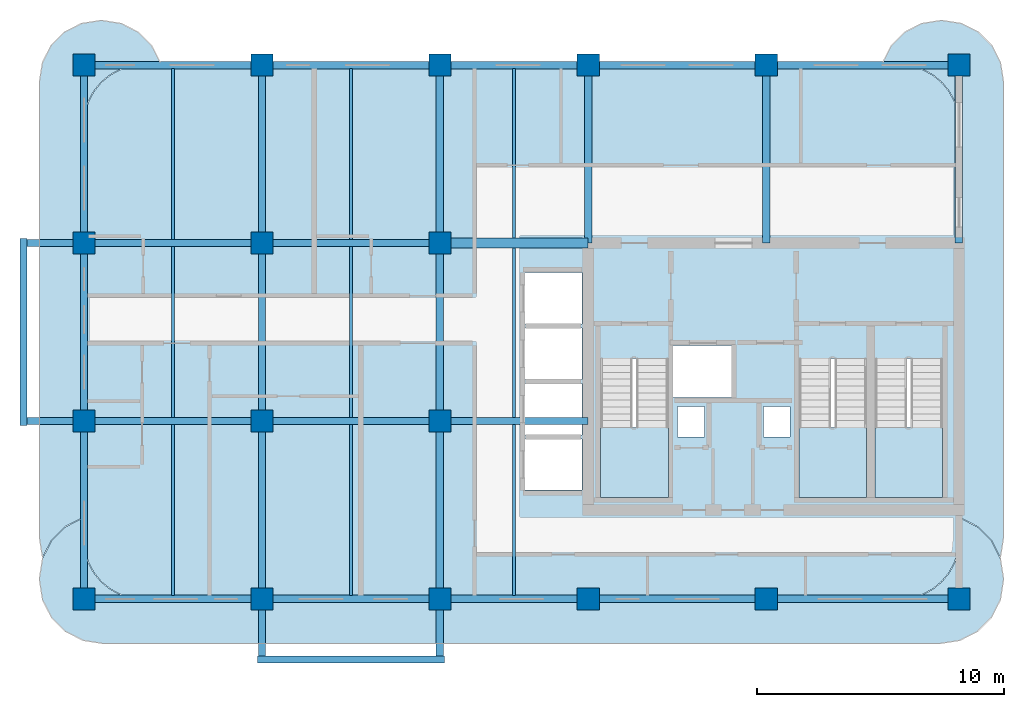
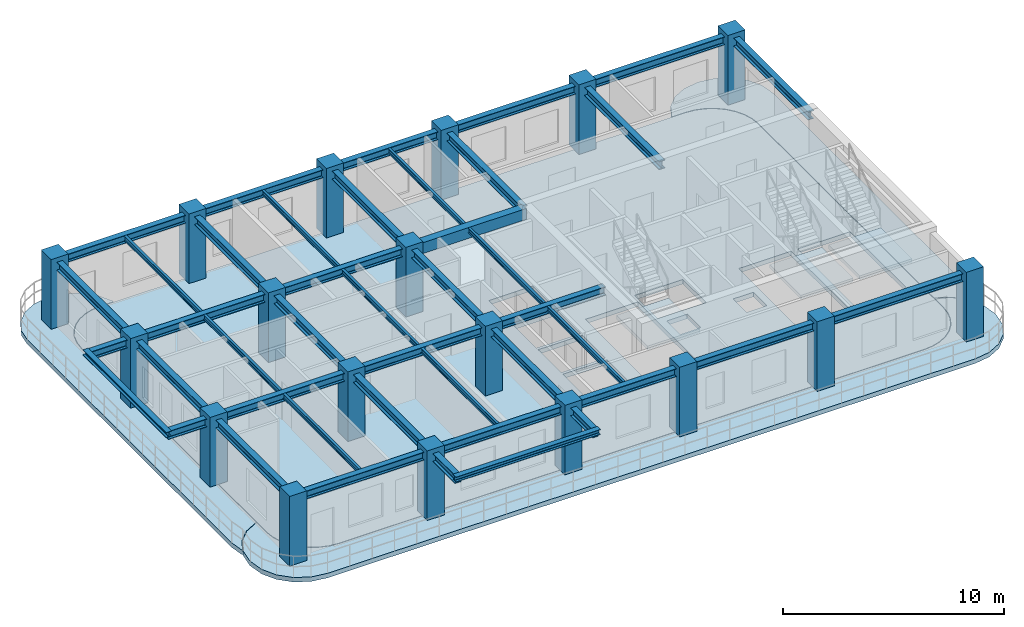
# One storey, part 1 of 7: 39 beams, 18 columns, 7 slabs, 3 elements without a shape of their own.
"""IFC4 building model written with IfcOpenShell, lengths in metres."""

from ifc_helpers import new_model, si_unit, derived_unit, direction, frame, origin, origin_2d, place, context, subcontext, project, spatial, polyline, rectangle, i_section, outline, extrude, source, transform, mapped, material, layer, layer_set, material_profile, profile_set, type_object, type_shapes, element, aggregate, save


model = new_model("IFC4")

# Units and contexts
model_context = context("Model", 3, precision=1e-05, world=origin(), true_north=direction((0.0, 1.0)))
body_context = subcontext(model_context, "Body", "Model", "MODEL_VIEW")
ifc_project = project(units=[si_unit("LENGTHUNIT", "METRE"), si_unit("AREAUNIT", "SQUARE_METRE"), si_unit("VOLUMEUNIT", "CUBIC_METRE"), si_unit("PLANEANGLEUNIT", "RADIAN"), si_unit("MASSUNIT", "GRAM", prefix="KILO"), si_unit("THERMODYNAMICTEMPERATUREUNIT", "KELVIN"), si_unit("POWERUNIT", "WATT"), derived_unit("THERMALTRANSMITTANCEUNIT", [(si_unit("POWERUNIT", "WATT"), 1), (si_unit("AREAUNIT", "SQUARE_METRE"), -1), (si_unit("THERMODYNAMICTEMPERATUREUNIT", "KELVIN"), -1)])], contexts=[model_context])

# Site, building, storey
site_placement = place(None, origin())
site = spatial("IfcSite", under=ifc_project, at=site_placement, CompositionType="ELEMENT")
building_placement = place(site_placement, origin())
building = spatial("IfcBuilding", under=site, at=building_placement, Name="Zahravan Archway Hotel and Residences", CompositionType="ELEMENT")
storey_placement = place(building_placement, frame((0.0, 0.0, 236.550048828125)))
storey = spatial("IfcBuildingStorey", under=building, at=storey_placement, Name="L59", CompositionType="ELEMENT", Elevation=236.550048828125)

# Columns
ifc_material_1 = material(Name="Concrete C60/75", Category="concrete")
ifc_material_profile_1 = material_profile(ifc_material_1, rectangle(XDim=0.89990234375, YDim=0.89990234375, at=origin_2d()), Name="RC-COL-900x900", Category="concrete")
ifc_profile_set_1 = profile_set([ifc_material_profile_1], Name="Concrete C60/75")
column_type = type_object("IfcColumnType", Name="COL-RC-900", PredefinedType="COLUMN", material=ifc_profile_set_1)
shared_shape_1 = source(origin(), body_context, "Body", "SweptSolid", [
    extrude(rectangle(XDim=0.89990234375, YDim=0.89990234375, at=origin_2d()), origin(), (0.0, 0.0, 1.0), 3.849853515625),
])
for number, where, z_axis, x_axis, name in (
    (1, (14.39990234375, 0.0, 0.0), (0.0, 0.0, 1.0), (1.0, 0.0, 0.0), "L59 Column 3-A"),
    (2, (14.39990234375, 7.199951171875, 0.0), (0.0, 0.0, 1.0), (1.0, 0.0, 0.0), "L59 Column 3-B"),
    (3, (14.39990234375, 14.39990234375, 0.0), (0.0, 0.0, 1.0), (1.0, 0.0, 0.0), "L59 Column 3-C"),
    (4, (14.39990234375, 21.60009765625, 0.0), (0.0, 0.0, 1.0), (1.0, 0.0, 0.0), "L59 Column 3-D"),
    (5, (21.60009765625, 0.0, 0.0), (0.0, 0.0, 1.0), (1.0, 0.0, 0.0), "L59 Column 4-A"),
    (6, (21.60009765625, 7.199951171875, 0.0), (0.0, 0.0, 1.0), (1.0, 0.0, 0.0), "L59 Column 4-B"),
    (7, (21.60009765625, 14.39990234375, 0.0), (0.0, 0.0, 1.0), (1.0, 0.0, 0.0), "L59 Column 4-C"),
    (8, (21.60009765625, 21.60009765625, 0.0), (0.0, 0.0, 1.0), (1.0, 0.0, 0.0), "L59 Column 4-D"),
    (9, (28.800048828125, 0.0, 0.0), (0.0, 0.0, 1.0), (1.0, 0.0, 0.0), "L59 Column 5-A"),
    (10, (28.800048828125, 7.199951171875, 0.0), (0.0, 0.0, 1.0), (1.0, 0.0, 0.0), "L59 Column 5-B"),
    (11, (28.800048828125, 14.39990234375, 0.0), (0.0, 0.0, 1.0), (1.0, 0.0, 0.0), "L59 Column 5-C"),
    (12, (28.800048828125, 21.60009765625, 0.0), (0.0, 0.0, 1.0), (1.0, 0.0, 0.0), "L59 Column 5-D"),
    (13, (34.800048828125, 0.0, 0.0), (0.0, 0.0, 1.0), (1.0, 0.0, 0.0), "L59 Column 6-A"),
    (14, (34.800048828125, 21.60009765625, 0.0), (0.0, 0.0, 1.0), (1.0, 0.0, 0.0), "L59 Column 6-D"),
    (15, (42.0, 0.0, 0.0), (0.0, 0.0, 1.0), (1.0, 0.0, 0.0), "L59 Column 7-A"),
    (16, (42.0, 21.60009765625, 0.0), (0.0, 0.0, 1.0), (1.0, 0.0, 0.0), "L59 Column 7-D"),
    (17, (49.800048828125, 0.0, 0.0), (0.0, 0.0, 1.0), (1.0, 0.0, 0.0), "L59 Column 8-A"),
    (18, (49.800048828125, 21.60009765625, 0.0), (0.0, 0.0, 1.0), (1.0, 0.0, 0.0), "L59 Column 8-D"),
):
    element("IfcColumn", number, at=place(storey_placement, frame(where, z_axis=z_axis, x_axis=x_axis)), inside=storey, type_object=column_type, Name=name, PredefinedType="COLUMN", context=body_context, shape_type="MappedRepresentation", body=[
        mapped(shared_shape_1, transform((0.0, 0.0, 0.0), scale=1.0)),
    ])

# Beams
ifc_material_2 = material(Name="Structural Steel S355JR", Category="steel")
ifc_material_profile_2 = material_profile(ifc_material_2, i_section(OverallWidth=0.280029296875, OverallDepth=0.280029296875, WebThickness=0.010498046875, FlangeThickness=0.01806640625, FilletRadius=0.02392578125, at=origin_2d()), Name="HEB 280", Category="steel")
ifc_profile_set_2 = profile_set([ifc_material_profile_2], Name="Structural Steel S355JR")
beam_type_1 = type_object("IfcBeamType", Name="BM-SPN-HEB280", PredefinedType="SPANDREL", material=ifc_profile_set_2)
shared_shape_2 = source(origin(), body_context, "Body", "SweptSolid", [
    extrude(i_section(OverallWidth=0.280029296875, OverallDepth=0.280029296875, WebThickness=0.010498046875, FlangeThickness=0.01806640625, FilletRadius=0.02392578125, at=origin_2d()), origin(), (0.0, 0.0, 1.0), 7.56005859375),
])
type_shapes(beam_type_1, [shared_shape_2])
for number, where, z_axis, x_axis, name in (
    (19, (11.949951171875, 7.02001953125, 3.4599609375), (0.0, 1.0, 0.0), (-1.0, 0.0, 0.0), "L60 WA Balcony Edge Spandrel"),
    (20, (21.419921875, -2.449951171875, 3.4599609375), (1.0, 0.0, 0.0), (0.0, 1.0, 0.0), "L60 SA Balcony Edge Spandrel"),
):
    element("IfcBeam", number, at=place(storey_placement, frame(where, z_axis=z_axis, x_axis=x_axis)), inside=storey, type_object=beam_type_1, Name=name, PredefinedType="SPANDREL", context=body_context, shape_type="MappedRepresentation", body=[
        mapped(shared_shape_2, transform((0.0, 0.0, 0.0), scale=1.0)),
    ])
ifc_material_profile_3 = material_profile(ifc_material_1, rectangle(XDim=0.39990234375, YDim=0.60009765625, at=origin_2d()), Name="RC-LNT-400x600", Category="concrete")
ifc_profile_set_3 = profile_set([ifc_material_profile_3], Name="Concrete C60/75")
beam_type_2 = type_object("IfcBeamType", Name="LNT-RC-400x600", PredefinedType="LINTEL", material=ifc_profile_set_3)
shared_shape_3 = source(origin(), body_context, "Body", "SweptSolid", [
    extrude(rectangle(XDim=0.39990234375, YDim=0.60009765625, at=origin_2d()), origin(), (0.0, 0.0, 1.0), 6.0),
])
type_shapes(beam_type_2, [shared_shape_3])
beam_placement = place(storey_placement, frame((28.800048828125, 14.39990234375, 3.300048828125), z_axis=(1.0, 0.0, 0.0), x_axis=(0.0, 1.0, 0.0)))
element("IfcBeam", 21, at=beam_placement, inside=storey, type_object=beam_type_2, Name="L59 Core A Coupling Lintel Beam", PredefinedType="LINTEL", context=body_context, shape_type="MappedRepresentation", body=[
    mapped(shared_shape_3, transform((0.0, 0.0, 0.0), scale=1.0)),
])
ifc_material_profile_4 = material_profile(ifc_material_2, i_section(OverallWidth=0.300048828125, OverallDepth=0.449951171875, WebThickness=0.013916015625, FlangeThickness=0.02587890625, FilletRadius=0.027099609375, at=origin_2d()), Name="HEB 450", Category="steel")
ifc_profile_set_4 = profile_set([ifc_material_profile_4], Name="Structural Steel S355JR")
beam_type_3 = type_object("IfcBeamType", Name="BM-PRI-HEB450", PredefinedType="BEAM", material=ifc_profile_set_4)
shared_shape_4 = source(origin(), body_context, "Body", "SweptSolid", [
    extrude(i_section(OverallWidth=0.300048828125, OverallDepth=0.449951171875, WebThickness=0.013916015625, FlangeThickness=0.02587890625, FilletRadius=0.027099609375, at=origin_2d()), origin(), (0.0, 0.0, 1.0), 7.2001953125),
])
type_shapes(beam_type_3, [shared_shape_4])
for number, where, z_axis, x_axis, name in (
    (22, (14.39990234375, 0.0, 3.375), (1.0, 0.0, 0.0), (0.0, 1.0, 0.0), "L59 Primary Girder EW-01"),
    (23, (14.39990234375, 21.60009765625, 3.375), (1.0, 0.0, 0.0), (0.0, 1.0, 0.0), "L59 Primary Girder EW-11"),
    (24, (14.39990234375, 14.39990234375, 3.375), (0.0, 1.0, 0.0), (-1.0, 0.0, 0.0), "L59 Primary Girder NS-18"),
    (25, (21.60009765625, 14.39990234375, 3.375), (0.0, 1.0, 0.0), (-1.0, 0.0, 0.0), "L59 Primary Girder NS-21"),
    (26, (28.800048828125, 14.39990234375, 3.375), (0.0, 1.0, 0.0), (-1.0, 0.0, 0.0), "L59 Primary Girder NS-24"),
    (27, (34.800048828125, 14.39990234375, 3.375), (0.0, 1.0, 0.0), (-1.0, 0.0, 0.0), "L59 Primary Girder NS-25"),
    (28, (42.0, 14.39990234375, 3.375), (0.0, 1.0, 0.0), (-1.0, 0.0, 0.0), "L59 Primary Girder NS-26"),
    (29, (49.800048828125, 14.39990234375, 3.375), (0.0, 1.0, 0.0), (-1.0, 0.0, 0.0), "L59 Primary Girder NS-27"),
):
    element("IfcBeam", number, at=place(storey_placement, frame(where, z_axis=z_axis, x_axis=x_axis)), inside=storey, type_object=beam_type_3, Name=name, PredefinedType="BEAM", context=body_context, shape_type="MappedRepresentation", body=[
        mapped(shared_shape_4, transform((0.0, 0.0, 0.0), scale=1.0)),
    ])
shared_shape_5 = source(origin(), body_context, "Body", "SweptSolid", [
    extrude(i_section(OverallWidth=0.300048828125, OverallDepth=0.449951171875, WebThickness=0.013916015625, FlangeThickness=0.02587890625, FilletRadius=0.027099609375, at=origin_2d()), origin(), (0.0, 0.0, 1.0), 7.199951171875),
])
for number, where, z_axis, x_axis, name in (
    (30, (21.60009765625, 0.0, 3.375), (1.0, 0.0, 0.0), (0.0, 1.0, 0.0), "L59 Primary Girder EW-02"),
    (31, (34.800048828125, 0.0, 3.375), (1.0, 0.0, 0.0), (0.0, 1.0, 0.0), "L59 Primary Girder EW-04"),
    (32, (21.60009765625, 7.199951171875, 3.375), (1.0, 0.0, 0.0), (0.0, 1.0, 0.0), "L59 Primary Girder EW-07"),
    (33, (21.60009765625, 14.39990234375, 3.375), (1.0, 0.0, 0.0), (0.0, 1.0, 0.0), "L59 Primary Girder EW-10"),
    (34, (21.60009765625, 21.60009765625, 3.375), (1.0, 0.0, 0.0), (0.0, 1.0, 0.0), "L59 Primary Girder EW-12"),
    (35, (34.800048828125, 21.60009765625, 3.375), (1.0, 0.0, 0.0), (0.0, 1.0, 0.0), "L59 Primary Girder EW-14"),
    (36, (14.39990234375, 0.0, 3.375), (0.0, 1.0, 0.0), (-1.0, 0.0, 0.0), "L59 Primary Girder NS-16"),
    (37, (14.39990234375, 7.199951171875, 3.375), (0.0, 1.0, 0.0), (-1.0, 0.0, 0.0), "L59 Primary Girder NS-17"),
    (38, (21.60009765625, 7.199951171875, 3.375), (0.0, 1.0, 0.0), (-1.0, 0.0, 0.0), "L59 Primary Girder NS-20"),
    (39, (28.800048828125, 7.199951171875, 3.375), (0.0, 1.0, 0.0), (-1.0, 0.0, 0.0), "L59 Primary Girder NS-23"),
):
    element("IfcBeam", number, at=place(storey_placement, frame(where, z_axis=z_axis, x_axis=x_axis)), inside=storey, type_object=beam_type_3, Name=name, PredefinedType="BEAM", context=body_context, shape_type="MappedRepresentation", body=[
        mapped(shared_shape_5, transform((0.0, 0.0, 0.0), scale=1.0)),
    ])
shared_shape_6 = source(origin(), body_context, "Body", "SweptSolid", [
    extrude(i_section(OverallWidth=0.300048828125, OverallDepth=0.449951171875, WebThickness=0.013916015625, FlangeThickness=0.02587890625, FilletRadius=0.027099609375, at=origin_2d()), origin(), (0.0, 0.0, 1.0), 6.0),
])
for number, where, z_axis, x_axis, name in (
    (40, (28.800048828125, 0.0, 3.375), (1.0, 0.0, 0.0), (0.0, 1.0, 0.0), "L59 Primary Girder EW-03"),
    (41, (28.800048828125, 7.199951171875, 3.375), (1.0, 0.0, 0.0), (0.0, 1.0, 0.0), "L59 Primary Girder EW-08"),
    (42, (28.800048828125, 21.60009765625, 3.375), (1.0, 0.0, 0.0), (0.0, 1.0, 0.0), "L59 Primary Girder EW-13"),
):
    element("IfcBeam", number, at=place(storey_placement, frame(where, z_axis=z_axis, x_axis=x_axis)), inside=storey, type_object=beam_type_3, Name=name, PredefinedType="BEAM", context=body_context, shape_type="MappedRepresentation", body=[
        mapped(shared_shape_6, transform((0.0, 0.0, 0.0), scale=1.0)),
    ])
shared_shape_7 = source(origin(), body_context, "Body", "SweptSolid", [
    extrude(i_section(OverallWidth=0.300048828125, OverallDepth=0.449951171875, WebThickness=0.013916015625, FlangeThickness=0.02587890625, FilletRadius=0.027099609375, at=origin_2d()), origin(), (0.0, 0.0, 1.0), 7.800048828125),
])
for number, where, z_axis, x_axis, name in (
    (43, (42.0, 0.0, 3.375), (1.0, 0.0, 0.0), (0.0, 1.0, 0.0), "L59 Primary Girder EW-05"),
    (44, (42.0, 21.60009765625, 3.375), (1.0, 0.0, 0.0), (0.0, 1.0, 0.0), "L59 Primary Girder EW-15"),
):
    element("IfcBeam", number, at=place(storey_placement, frame(where, z_axis=z_axis, x_axis=x_axis)), inside=storey, type_object=beam_type_3, Name=name, PredefinedType="BEAM", context=body_context, shape_type="MappedRepresentation", body=[
        mapped(shared_shape_7, transform((0.0, 0.0, 0.0), scale=1.0)),
    ])
shared_shape_8 = source(origin(), body_context, "Body", "SweptSolid", [
    extrude(i_section(OverallWidth=0.300048828125, OverallDepth=0.449951171875, WebThickness=0.013916015625, FlangeThickness=0.02587890625, FilletRadius=0.027099609375, at=origin_2d()), origin(), (0.0, 0.0, 1.0), 9.650146484375),
])
for number, where, z_axis, x_axis, name in (
    (45, (11.949951171875, 7.199951171875, 3.375), (1.0, 0.0, 0.0), (0.0, 1.0, 0.0), "L59 Primary Girder EW-06"),
    (46, (11.949951171875, 14.39990234375, 3.375), (1.0, 0.0, 0.0), (0.0, 1.0, 0.0), "L59 Primary Girder EW-09"),
):
    element("IfcBeam", number, at=place(storey_placement, frame(where, z_axis=z_axis, x_axis=x_axis)), inside=storey, type_object=beam_type_3, Name=name, PredefinedType="BEAM", context=body_context, shape_type="MappedRepresentation", body=[
        mapped(shared_shape_8, transform((0.0, 0.0, 0.0), scale=1.0)),
    ])
shared_shape_9 = source(origin(), body_context, "Body", "SweptSolid", [
    extrude(i_section(OverallWidth=0.300048828125, OverallDepth=0.449951171875, WebThickness=0.013916015625, FlangeThickness=0.02587890625, FilletRadius=0.027099609375, at=origin_2d()), origin(), (0.0, 0.0, 1.0), 9.64990234375),
])
for number, where, z_axis, x_axis, name in (
    (47, (21.60009765625, -2.449951171875, 3.375), (0.0, 1.0, 0.0), (-1.0, 0.0, 0.0), "L59 Primary Girder NS-19"),
    (48, (28.800048828125, -2.449951171875, 3.375), (0.0, 1.0, 0.0), (-1.0, 0.0, 0.0), "L59 Primary Girder NS-22"),
):
    element("IfcBeam", number, at=place(storey_placement, frame(where, z_axis=z_axis, x_axis=x_axis)), inside=storey, type_object=beam_type_3, Name=name, PredefinedType="BEAM", context=body_context, shape_type="MappedRepresentation", body=[
        mapped(shared_shape_9, transform((0.0, 0.0, 0.0), scale=1.0)),
    ])
ifc_material_profile_5 = material_profile(ifc_material_2, i_section(OverallWidth=0.135009765625, OverallDepth=0.27001953125, WebThickness=0.006591796875, FlangeThickness=0.01025390625, FilletRadius=0.014892578125, at=origin_2d()), Name="IPE 270", Category="steel")
ifc_profile_set_5 = profile_set([ifc_material_profile_5], Name="Structural Steel S355JR")
beam_type_4 = type_object("IfcBeamType", Name="BM-JST-IPE270", PredefinedType="JOIST", material=ifc_profile_set_5)
shared_shape_10 = source(origin(), body_context, "Body", "SweptSolid", [
    extrude(i_section(OverallWidth=0.135009765625, OverallDepth=0.27001953125, WebThickness=0.006591796875, FlangeThickness=0.01025390625, FilletRadius=0.014892578125, at=origin_2d()), origin(), (0.0, 0.0, 1.0), 6.904052734375),
])
type_shapes(beam_type_4, [shared_shape_10])
for number, where, z_axis, x_axis, name in (
    (49, (18.0, 0.14794921875, 3.46484375), (0.0, 1.0, 0.0), (-1.0, 0.0, 0.0), "L59 Composite Floor Joist 01"),
    (50, (25.199951171875, 0.14794921875, 3.46484375), (0.0, 1.0, 0.0), (-1.0, 0.0, 0.0), "L59 Composite Floor Joist 02"),
    (51, (31.800048828125, 0.14794921875, 3.46484375), (0.0, 1.0, 0.0), (-1.0, 0.0, 0.0), "L59 Composite Floor Joist 03"),
    (52, (18.0, 7.347900390625, 3.46484375), (0.0, 1.0, 0.0), (-1.0, 0.0, 0.0), "L59 Composite Floor Joist 04"),
    (53, (25.199951171875, 7.347900390625, 3.46484375), (0.0, 1.0, 0.0), (-1.0, 0.0, 0.0), "L59 Composite Floor Joist 05"),
):
    element("IfcBeam", number, at=place(storey_placement, frame(where, z_axis=z_axis, x_axis=x_axis)), inside=storey, type_object=beam_type_4, Name=name, PredefinedType="JOIST", context=body_context, shape_type="MappedRepresentation", body=[
        mapped(shared_shape_10, transform((0.0, 0.0, 0.0), scale=1.0)),
    ])
shared_shape_11 = source(origin(), body_context, "Body", "SweptSolid", [
    extrude(i_section(OverallWidth=0.135009765625, OverallDepth=0.27001953125, WebThickness=0.006591796875, FlangeThickness=0.01025390625, FilletRadius=0.014892578125, at=origin_2d()), origin(), (0.0, 0.0, 1.0), 6.85400390625),
])
for number, where, z_axis, x_axis, name in (
    (54, (31.800048828125, 7.347900390625, 3.46484375), (0.0, 1.0, 0.0), (-1.0, 0.0, 0.0), "L59 Composite Floor Joist 06"),
    (55, (31.800048828125, 14.597900390625, 3.46484375), (0.0, 1.0, 0.0), (-1.0, 0.0, 0.0), "L59 Composite Floor Joist 07"),
):
    element("IfcBeam", number, at=place(storey_placement, frame(where, z_axis=z_axis, x_axis=x_axis)), inside=storey, type_object=beam_type_4, Name=name, PredefinedType="JOIST", context=body_context, shape_type="MappedRepresentation", body=[
        mapped(shared_shape_11, transform((0.0, 0.0, 0.0), scale=1.0)),
    ])
shared_shape_12 = source(origin(), body_context, "Body", "SweptSolid", [
    extrude(i_section(OverallWidth=0.135009765625, OverallDepth=0.27001953125, WebThickness=0.006591796875, FlangeThickness=0.01025390625, FilletRadius=0.014892578125, at=origin_2d()), origin(), (0.0, 0.0, 1.0), 6.90380859375),
])
for number, where, z_axis, x_axis, name in (
    (56, (18.0, 14.548095703125, 3.46484375), (0.0, 1.0, 0.0), (-1.0, 0.0, 0.0), "L59 Composite Floor Joist 08"),
    (57, (25.199951171875, 14.548095703125, 3.46484375), (0.0, 1.0, 0.0), (-1.0, 0.0, 0.0), "L59 Composite Floor Joist 09"),
):
    element("IfcBeam", number, at=place(storey_placement, frame(where, z_axis=z_axis, x_axis=x_axis)), inside=storey, type_object=beam_type_4, Name=name, PredefinedType="JOIST", context=body_context, shape_type="MappedRepresentation", body=[
        mapped(shared_shape_12, transform((0.0, 0.0, 0.0), scale=1.0)),
    ])

# Slabs
ifc_material_3 = material(Name="Concrete C45/55", Category="concrete")
ifc_layer_1 = layer(ifc_material_3, 0.25, Name="Concrete C45/55", Category="concrete")
ifc_layer_set_1 = layer_set([ifc_layer_1], Name="Concrete C45/55")
slab_type_1 = type_object("IfcSlabType", Name="SLB-BALC-250", PredefinedType="FLOOR", material=ifc_layer_set_1)
slab_1_placement = place(storey_placement, frame((0.0, 0.0, -0.25)))
element("IfcSlab", 58, at=slab_1_placement, inside=storey, type_object=slab_type_1, Name="L59 Wing A South Rounded Balcony Band", PredefinedType="FLOOR", context=body_context, shape_type="SweptSolid", body=[
    extrude(outline(polyline([(49.837890625, 3.275146484375), (50.548828125, 2.9130859375), (51.113037109375, 2.348876953125), (51.47509765625, 1.637939453125), (51.60009765625, 0.85009765625), (51.60009765625, 0.75), (51.47509765625, -0.0380859375), (51.113037109375, -0.748779296875), (50.548828125, -1.31298828125), (49.837890625, -1.67529296875), (49.050048828125, -1.800048828125), (15.14990234375, -1.800048828125), (14.362060546875, -1.67529296875), (13.651123046875, -1.31298828125), (13.0869140625, -0.748779296875), (12.724853515625, -0.0380859375), (12.60009765625, 0.75), (12.60009765625, 0.85009765625), (12.724853515625, 1.637939453125), (13.0869140625, 2.348876953125), (13.651123046875, 2.9130859375), (14.362060546875, 3.275146484375), (14.3798828125, 3.278076171875), (14.3798828125, 2.39990234375), (14.380126953125, 2.39794921875), (14.42626953125, 1.9296875), (14.426513671875, 1.927978515625), (14.427001953125, 1.926025390625), (14.563720703125, 1.475830078125), (14.564208984375, 1.473876953125), (14.565185546875, 1.47216796875), (14.786865234375, 1.05712890625), (14.787841796875, 1.055419921875), (14.7890625, 1.053955078125), (15.08740234375, 0.690185546875), (15.0888671875, 0.688720703125), (15.090087890625, 0.6875), (15.453857421875, 0.388916015625), (15.45556640625, 0.387939453125), (15.457275390625, 0.386962890625), (15.872314453125, 0.1650390625), (15.873779296875, 0.164306640625), (15.875732421875, 0.16357421875), (16.325927734375, 0.027099609375), (16.327880859375, 0.026611328125), (16.329833984375, 0.026123046875), (16.798095703125, -0.02001953125), (16.800048828125, -0.02001953125), (47.39990234375, -0.02001953125), (47.402099609375, -0.02001953125), (47.8701171875, 0.026123046875), (47.8720703125, 0.026611328125), (47.8740234375, 0.027099609375), (48.32421875, 0.16357421875), (48.326171875, 0.164306640625), (48.327880859375, 0.1650390625), (48.742919921875, 0.386962890625), (48.744384765625, 0.387939453125), (48.74609375, 0.388916015625), (49.10986328125, 0.6875), (49.111083984375, 0.688720703125), (49.112548828125, 0.690185546875), (49.410888671875, 1.053955078125), (49.412109375, 1.055419921875), (49.4130859375, 1.05712890625), (49.635009765625, 1.47216796875), (49.6357421875, 1.473876953125), (49.636474609375, 1.475830078125), (49.77294921875, 1.926025390625), (49.7734375, 1.927978515625), (49.773681640625, 1.9296875), (49.81982421875, 2.39794921875), (49.820068359375, 2.39990234375), (49.820068359375, 3.278076171875), (49.837890625, 3.275146484375)])), origin(), (0.0, 0.0, 1.0), 0.25),
])
slab_2_placement = place(storey_placement, frame((0.0, 0.0, -0.25)))
element("IfcSlab", 59, at=slab_2_placement, inside=storey, type_object=slab_type_1, Name="L59 Wing A East Rounded Balcony Band", PredefinedType="FLOOR", context=body_context, shape_type="SweptSolid", body=[
    extrude(outline(polyline([(46.719970703125, 21.70703125), (47.06787109375, 22.39013671875), (47.60986328125, 22.93212890625), (48.29296875, 23.280029296875), (49.050048828125, 23.39990234375), (49.14990234375, 23.39990234375), (49.906982421875, 23.280029296875), (50.590087890625, 22.93212890625), (51.132080078125, 22.39013671875), (51.47998046875, 21.70703125), (51.60009765625, 20.949951171875), (51.60009765625, 2.449951171875), (51.47998046875, 1.69287109375), (51.474853515625, 1.6826171875), (51.130859375, 2.35791015625), (51.1298828125, 2.35986328125), (51.12841796875, 2.361572265625), (51.127197265625, 2.363037109375), (50.56298828125, 2.927001953125), (50.5615234375, 2.928466796875), (50.559814453125, 2.9296875), (50.55810546875, 2.930908203125), (49.84716796875, 3.29296875), (49.84521484375, 3.2939453125), (49.84326171875, 3.29443359375), (49.841064453125, 3.294921875), (49.822998046875, 3.2978515625), (49.8212890625, 3.298095703125), (49.820068359375, 3.298095703125), (49.820068359375, 19.199951171875), (49.81982421875, 19.201904296875), (49.773681640625, 19.670166015625), (49.7734375, 19.672119140625), (49.77294921875, 19.674072265625), (49.636474609375, 20.124267578125), (49.6357421875, 20.126220703125), (49.635009765625, 20.127685546875), (49.4130859375, 20.542724609375), (49.412109375, 20.54443359375), (49.410888671875, 20.546142578125), (49.112548828125, 20.909912109375), (49.111083984375, 20.9111328125), (49.10986328125, 20.91259765625), (48.74609375, 21.2109375), (48.744384765625, 21.212158203125), (48.742919921875, 21.213134765625), (48.327880859375, 21.434814453125), (48.326171875, 21.435791015625), (48.32421875, 21.436279296875), (47.8740234375, 21.572998046875), (47.8720703125, 21.573486328125), (47.8701171875, 21.57373046875), (47.402099609375, 21.619873046875), (47.39990234375, 21.6201171875), (46.7060546875, 21.6201171875), (46.719970703125, 21.70703125)])), origin(), (0.0, 0.0, 1.0), 0.25),
])
slab_3_placement = place(storey_placement, frame((0.0, 0.0, -0.25)))
element("IfcSlab", 60, at=slab_3_placement, inside=storey, type_object=slab_type_1, Name="L59 Wing A West Rounded Balcony Band", PredefinedType="FLOOR", context=body_context, shape_type="SweptSolid", body=[
    extrude(outline(polyline([(12.719970703125, 1.69287109375), (12.60009765625, 2.449951171875), (12.60009765625, 20.949951171875), (12.719970703125, 21.70703125), (13.06787109375, 22.39013671875), (13.60986328125, 22.93212890625), (14.29296875, 23.280029296875), (15.050048828125, 23.39990234375), (15.14990234375, 23.39990234375), (15.906982421875, 23.280029296875), (16.590087890625, 22.93212890625), (17.132080078125, 22.39013671875), (17.47998046875, 21.70703125), (17.493896484375, 21.6201171875), (16.800048828125, 21.6201171875), (16.798095703125, 21.619873046875), (16.329833984375, 21.57373046875), (16.327880859375, 21.573486328125), (16.325927734375, 21.572998046875), (15.875732421875, 21.436279296875), (15.873779296875, 21.435791015625), (15.872314453125, 21.434814453125), (15.457275390625, 21.213134765625), (15.45556640625, 21.212158203125), (15.453857421875, 21.2109375), (15.090087890625, 20.91259765625), (15.0888671875, 20.9111328125), (15.08740234375, 20.909912109375), (14.7890625, 20.546142578125), (14.787841796875, 20.54443359375), (14.786865234375, 20.542724609375), (14.565185546875, 20.127685546875), (14.564208984375, 20.126220703125), (14.563720703125, 20.124267578125), (14.427001953125, 19.674072265625), (14.426513671875, 19.672119140625), (14.42626953125, 19.670166015625), (14.380126953125, 19.201904296875), (14.3798828125, 19.199951171875), (14.3798828125, 3.298095703125), (14.37890625, 3.298095703125), (14.376953125, 3.2978515625), (14.35888671875, 3.294921875), (14.356689453125, 3.29443359375), (14.354736328125, 3.2939453125), (14.352783203125, 3.29296875), (13.64208984375, 2.930908203125), (13.64013671875, 2.9296875), (13.638427734375, 2.928466796875), (13.636962890625, 2.927001953125), (13.072998046875, 2.363037109375), (13.071533203125, 2.361572265625), (13.0703125, 2.35986328125), (13.069091796875, 2.35791015625), (12.72509765625, 1.6826171875), (12.719970703125, 1.69287109375)])), origin(), (0.0, 0.0, 1.0), 0.25),
])
ifc_layer_2 = layer(ifc_material_3, 0.25, Name="Concrete C45/55", Category="concrete")
ifc_layer_set_2 = layer_set([ifc_layer_2], Name="Concrete C45/55")
slab_type_2 = type_object("IfcSlabType", Name="SLB-FLR-250", PredefinedType="FLOOR", material=ifc_layer_set_2)
slab_4_placement = place(storey_placement, frame((0.0, 0.0, -0.25)))
element("IfcSlab", 61, at=slab_4_placement, inside=storey, type_object=slab_type_2, Name="L59 Floor Slab WA", PredefinedType="FLOOR", context=body_context, shape_type="SweptSolid", body=[
    extrude(outline(polyline([(47.39990234375, 0.0), (47.8681640625, 0.046142578125), (48.318359375, 0.1826171875), (48.7333984375, 0.404541015625), (49.09716796875, 0.702880859375), (49.3955078125, 1.066650390625), (49.6171875, 1.481689453125), (49.75390625, 1.931884765625), (49.800048828125, 2.39990234375), (49.800048828125, 19.199951171875), (49.75390625, 19.668212890625), (49.6171875, 20.118408203125), (49.3955078125, 20.533447265625), (49.09716796875, 20.897216796875), (48.7333984375, 21.195556640625), (48.318359375, 21.417236328125), (47.8681640625, 21.553955078125), (47.39990234375, 21.60009765625), (16.800048828125, 21.60009765625), (16.331787109375, 21.553955078125), (15.881591796875, 21.417236328125), (15.466552734375, 21.195556640625), (15.102783203125, 20.897216796875), (14.804443359375, 20.533447265625), (14.582763671875, 20.118408203125), (14.446044921875, 19.668212890625), (14.39990234375, 19.199951171875), (14.39990234375, 2.39990234375), (14.446044921875, 1.931884765625), (14.582763671875, 1.481689453125), (14.804443359375, 1.066650390625), (15.102783203125, 0.702880859375), (15.466552734375, 0.404541015625), (15.881591796875, 0.1826171875), (16.331787109375, 0.046142578125), (16.800048828125, 0.0), (47.39990234375, 0.0)]), holes=[polyline([(35.300048828125, 9.72998046875), (35.300048828125, 4.10009765625), (38.0400390625, 4.10009765625), (38.0400390625, 9.72998046875), (35.300048828125, 9.72998046875)]), polyline([(43.320068359375, 9.72998046875), (43.320068359375, 4.10009765625), (46.06005859375, 4.10009765625), (46.06005859375, 9.72998046875), (43.320068359375, 9.72998046875)]), polyline([(46.39990234375, 9.72998046875), (46.39990234375, 4.10009765625), (49.139892578125, 4.10009765625), (49.139892578125, 9.72998046875), (46.39990234375, 9.72998046875)]), polyline([(38.179931640625, 8.14990234375), (40.699951171875, 8.14990234375), (40.699951171875, 10.25), (38.179931640625, 10.25), (38.179931640625, 8.14990234375)]), polyline([(32.25, 4.39990234375), (34.550048828125, 4.39990234375), (34.550048828125, 6.47998046875), (32.25, 6.47998046875), (32.25, 4.39990234375)]), polyline([(32.25, 6.639892578125), (34.550048828125, 6.639892578125), (34.550048828125, 8.719970703125), (32.25, 8.719970703125), (32.25, 6.639892578125)]), polyline([(32.25, 8.8798828125), (34.550048828125, 8.8798828125), (34.550048828125, 10.9599609375), (32.25, 10.9599609375), (32.25, 8.8798828125)]), polyline([(32.25, 11.1201171875), (34.550048828125, 11.1201171875), (34.550048828125, 13.199951171875), (32.25, 13.199951171875), (32.25, 11.1201171875)]), polyline([(38.419921875, 6.56005859375), (39.5, 6.56005859375), (39.5, 7.780029296875), (38.419921875, 7.780029296875), (38.419921875, 6.56005859375)]), polyline([(41.89990234375, 6.56005859375), (42.9599609375, 6.56005859375), (42.9599609375, 7.780029296875), (41.89990234375, 7.780029296875), (41.89990234375, 6.56005859375)])]), origin(), (0.0, 0.0, 1.0), 0.25),
])

# Stair, slab
ifc_material_4 = material(Name="Concrete C50/60", Category="concrete")
stair_type = type_object("IfcStairType", Name="STR-CORE-1300", PredefinedType="HALF_TURN_STAIR", material=ifc_material_4)
stair_1_placement = place(storey_placement, origin())
stair_1 = element("IfcStair", 62, at=stair_1_placement, inside=storey, type_object=stair_type, Name="L59 Core A Exit Stair 1", PredefinedType="HALF_TURN_STAIR")
ifc_layer_3 = layer(ifc_material_4, 0.199951171875, Name="Concrete C50/60", Category="concrete")
ifc_layer_set_3 = layer_set([ifc_layer_3], Name="Concrete C50/60")
slab_type_3 = type_object("IfcSlabType", Name="SLB-LND-200", PredefinedType="LANDING", material=ifc_layer_set_3)
slab_5_placement = place(storey_placement, frame((0.0, 0.0, 1.724853515625)))
slab_5 = element("IfcSlab", 63, at=slab_5_placement, type_object=slab_type_3, Name="ST-A1 landing 1", PredefinedType="LANDING", context=body_context, shape_type="SweptSolid", body=[
    extrude(outline(polyline([(35.300048828125, 6.929931640625), (35.300048828125, 4.10009765625), (38.0400390625, 4.10009765625), (38.0400390625, 6.929931640625), (35.300048828125, 6.929931640625)])), origin(), (0.0, 0.0, 1.0), 0.2001953125),
])
aggregate(stair_1, [slab_5])

stair_2_placement = place(storey_placement, origin())
stair_2 = element("IfcStair", 64, at=stair_2_placement, inside=storey, type_object=stair_type, Name="L59 Core A Exit Stair 2", PredefinedType="HALF_TURN_STAIR")
slab_6_placement = place(storey_placement, frame((0.0, 0.0, 1.724853515625)))
slab_6 = element("IfcSlab", 65, at=slab_6_placement, type_object=slab_type_3, Name="ST-A2 landing 1", PredefinedType="LANDING", context=body_context, shape_type="SweptSolid", body=[
    extrude(outline(polyline([(43.320068359375, 6.929931640625), (43.320068359375, 4.10009765625), (46.06005859375, 4.10009765625), (46.06005859375, 6.929931640625), (43.320068359375, 6.929931640625)])), origin(), (0.0, 0.0, 1.0), 0.2001953125),
])
aggregate(stair_2, [slab_6])

stair_3_placement = place(storey_placement, origin())
stair_3 = element("IfcStair", 66, at=stair_3_placement, inside=storey, type_object=stair_type, Name="L59 Core A Exit Stair 3", PredefinedType="HALF_TURN_STAIR")
slab_7_placement = place(storey_placement, frame((0.0, 0.0, 1.724853515625)))
slab_7 = element("IfcSlab", 67, at=slab_7_placement, type_object=slab_type_3, Name="ST-A3 landing 1", PredefinedType="LANDING", context=body_context, shape_type="SweptSolid", body=[
    extrude(outline(polyline([(46.39990234375, 6.929931640625), (46.39990234375, 4.10009765625), (49.139892578125, 4.10009765625), (49.139892578125, 6.929931640625), (46.39990234375, 6.929931640625)])), origin(), (0.0, 0.0, 1.0), 0.2001953125),
])
aggregate(stair_3, [slab_7])

save(model, "model.ifc")
